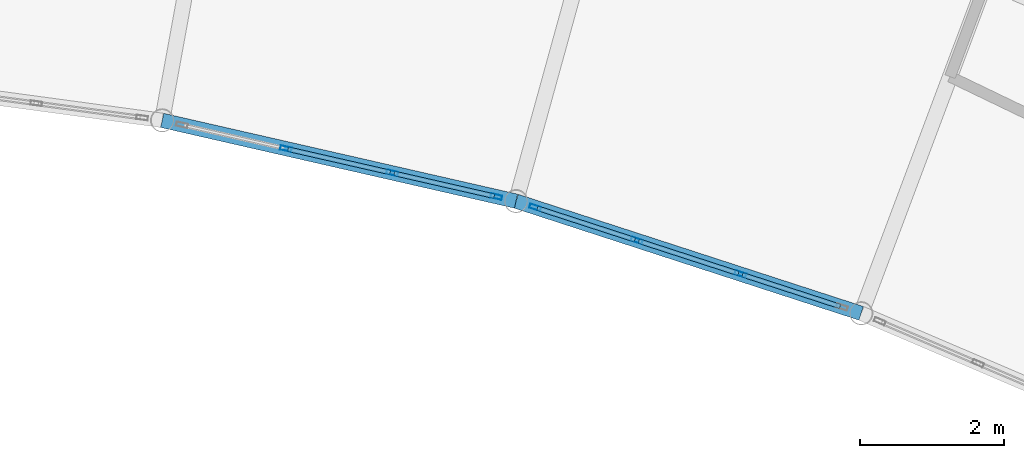
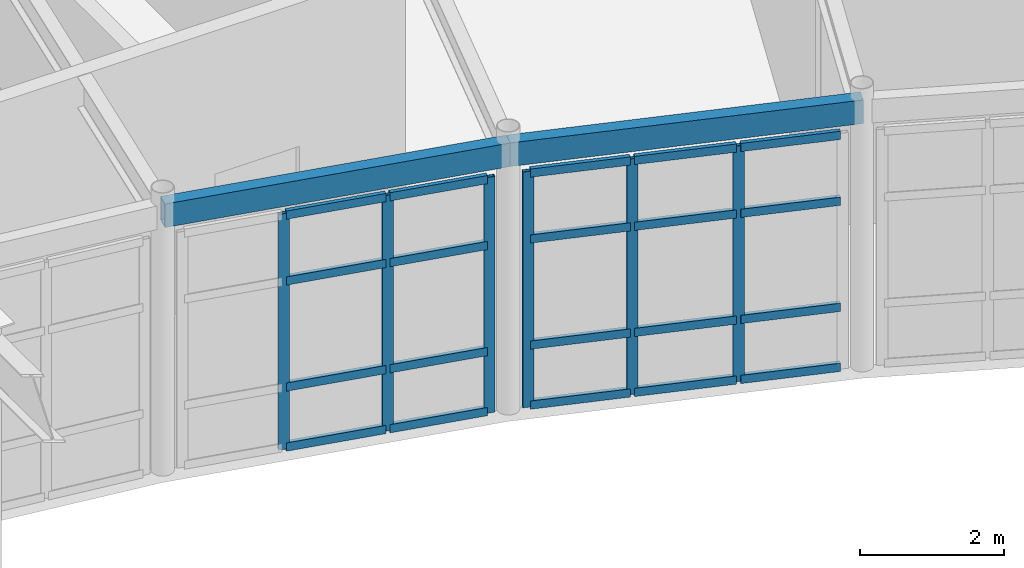
# One storey, part 75 of 116: 26 members, 2 beams, 2 elements without a shape of their own.
"""IFC4 building model written with IfcOpenShell, lengths in metres."""

import ifcopenshell
import ifcopenshell.guid

model = None  # the IFC model being written
_history = None  # IfcOwnerHistory: only IFC2X3 demands one
_inside = {}  # id of a spatial element -> (the spatial element, [elements in it])
_under = {}  # id of a project, library or spatial element -> (it, [spatial elements below it])
_declared = {}  # id of a project -> (the project, [libraries it declares])
_typed = {}  # id of a type object -> (the type object, [elements of that type])
_made_of = {}  # id of a material, layer set ... -> (it, [elements and type objects made of it])


def new_model(schema):
    """Start an empty IFC model of exactly this schema.

    Asked for "IFC4X3", IfcOpenShell would pick the latest addendum, in which some entities
    have other attributes; the version numbers below select the first issue.
    IFC2X3 requires an IfcOwnerHistory on every rooted entity: one is made here for all.
    """
    global model, _history
    if schema == "IFC4X3":
        model = ifcopenshell.file(schema_version=(4, 3, 0, 0))
    else:
        model = ifcopenshell.file(schema=schema)
    _inside.clear()
    _under.clear()
    _declared.clear()
    _typed.clear()
    _made_of.clear()
    _history = None
    if model.schema == "IFC2X3":
        org = make("IfcOrganization", Name="unknown")
        user = make(
            "IfcPersonAndOrganization",
            ThePerson=make("IfcPerson", FamilyName="unknown"),
            TheOrganization=org,
        )
        app = make(
            "IfcApplication",
            ApplicationDeveloper=org,
            Version="unknown",
            ApplicationFullName="unknown",
            ApplicationIdentifier="unknown",
        )
        _history = make(
            "IfcOwnerHistory",
            OwningUser=user,
            OwningApplication=app,
            ChangeAction="ADDED",
            CreationDate=0,
        )
    return model


def make(cls, **values):
    """One entity of the class cls with the attributes given. An attribute that is None is left unset."""
    return model.create_entity(
        cls, **{name: value for name, value in values.items() if value is not None}
    )


def rooted(cls, **values):
    """An entity with a GlobalId (a new one), such as an element, a storey or a relation."""
    return make(cls, GlobalId=ifcopenshell.guid.new(), OwnerHistory=_history, **values)


def si_unit(unit_type, name, prefix=None):
    """IfcSIUnit, for example si_unit("LENGTHUNIT", "METRE", prefix="MILLI")."""
    return make("IfcSIUnit", UnitType=unit_type, Prefix=prefix, Name=name)


def assignment(units):
    """IfcUnitAssignment: the units of a project."""
    return None if units is None else make("IfcUnitAssignment", Units=units)


def point(xyz):
    """IfcCartesianPoint."""
    return None if xyz is None else make("IfcCartesianPoint", Coordinates=xyz)


def direction(xyz):
    """IfcDirection."""
    return None if xyz is None else make("IfcDirection", DirectionRatios=xyz)


def frame(location, z_axis=None, x_axis=None):
    """IfcAxis2Placement3D, a coordinate frame: its origin and axes. An axis left out is left unset."""
    return make(
        "IfcAxis2Placement3D",
        Location=point(location),
        Axis=direction(z_axis),
        RefDirection=direction(x_axis),
    )


def frame_2d(location, x_axis=None):
    """IfcAxis2Placement2D, a coordinate frame in the plane: its origin and x axis."""
    return make(
        "IfcAxis2Placement2D", Location=point(location), RefDirection=direction(x_axis)
    )


def origin():
    """The frame at (0, 0, 0) with its axes left unset."""
    return frame((0.0, 0.0, 0.0))


def origin_2d():
    """The frame at (0, 0) in the plane with its x axis left unset."""
    return frame_2d((0.0, 0.0))


def place(relative_to, where):
    """IfcLocalPlacement: puts the frame where relative to a parent placement (None: the world)."""
    return make(
        "IfcLocalPlacement", PlacementRelTo=relative_to, RelativePlacement=where
    )


def context(
    kind, dimensions, precision=None, world=None, true_north=None, identifier=None
):
    """IfcGeometricRepresentationContext, for example the 3D "Model" context."""
    return make(
        "IfcGeometricRepresentationContext",
        ContextIdentifier=identifier,
        ContextType=kind,
        CoordinateSpaceDimension=dimensions,
        Precision=precision,
        WorldCoordinateSystem=world,
        TrueNorth=true_north,
    )


def subcontext(parent, identifier, kind, view, scale=None):
    """IfcGeometricRepresentationSubContext, for example "Body" below "Model"."""
    return make(
        "IfcGeometricRepresentationSubContext",
        ContextIdentifier=identifier,
        ContextType=kind,
        ParentContext=parent,
        TargetScale=scale,
        TargetView=view,
    )


def project(units=None, contexts=None):
    """IfcProject with its units and contexts."""
    return rooted(
        "IfcProject",
        Name="project",
        RepresentationContexts=contexts,
        UnitsInContext=assignment(units),
    )


def spatial(cls, under=None, at=None, **own):
    """A site, building, storey or space (cls), placed at a placement, below another one or the project."""
    s = rooted(cls, ObjectPlacement=at, **own)
    if under is not None:
        _under.setdefault(under.id(), (under, []))[1].append(s)
    return s


def profile(cls, at=None, kind="AREA", **sizes):
    """A parametric profile (cls). Its sizes go by their IFC names, for example OverallWidth=200.0."""
    return make(cls, ProfileType=kind, Position=at, **sizes)


def hollow_rectangle(**sizes):
    """IfcRectangleHollowProfileDef."""
    return profile("IfcRectangleHollowProfileDef", **sizes)


def extrude(swept, where, along, depth):
    """IfcExtrudedAreaSolid: the profile swept, set in the frame where, extruded along a direction by depth."""
    return make(
        "IfcExtrudedAreaSolid",
        SweptArea=swept,
        Position=where,
        ExtrudedDirection=direction(along),
        Depth=depth,
    )


def shape(context_of_items, identifier, shape_type, items):
    """IfcShapeRepresentation: the items that make up one representation, for example the "Body"."""
    return make(
        "IfcShapeRepresentation",
        ContextOfItems=context_of_items,
        RepresentationIdentifier=identifier,
        RepresentationType=shape_type,
        Items=items,
    )


def material(Name=None, Category=None):
    """IfcMaterial."""
    return make("IfcMaterial", Name=Name, Category=Category)


def layer(
    of_material, thickness, ventilated=None, Name=None, Category=None, Priority=None
):
    """IfcMaterialLayer: one layer of a wall or slab, of a material (None: an air gap)."""
    return make(
        "IfcMaterialLayer",
        Material=of_material,
        LayerThickness=thickness,
        IsVentilated=ventilated,
        Name=Name,
        Category=Category,
        Priority=Priority,
    )


def layer_set(layers, Name=None):
    """IfcMaterialLayerSet."""
    return make("IfcMaterialLayerSet", MaterialLayers=layers, LayerSetName=Name)


def material_profile(
    of_material, cross_section, Name=None, Category=None, Priority=None
):
    """IfcMaterialProfile: a cross section and its material."""
    return make(
        "IfcMaterialProfile",
        Name=Name,
        Material=of_material,
        Profile=cross_section,
        Priority=Priority,
        Category=Category,
    )


def profile_set(profiles, Name=None, composite=None):
    """IfcMaterialProfileSet."""
    return make(
        "IfcMaterialProfileSet",
        Name=Name,
        MaterialProfiles=profiles,
        CompositeProfile=composite,
    )


def made_of(thing, what):
    """Note that an element or type object is made of a material, layer set ...; save() writes the relation."""
    if what is not None:
        _made_of.setdefault(what.id(), (what, []))[1].append(thing)
    return thing


def type_object(cls, material=None, **own):
    """A type object (cls), such as IfcWallType, which elements share."""
    return made_of(rooted(cls, **own), material)


def element(
    cls,
    number,
    at=None,
    inside=None,
    cuts=None,
    type_object=None,
    material=None,
    context=None,
    identifier="Body",
    shape_type=None,
    held_by="IfcProductDefinitionShape",
    body=None,
    shapes=None,
    **own,
):
    """One element of the class cls, such as IfcWall. Its Tag is "e" and its number.

    at: its placement. inside: the storey or other place that contains it. cuts: it is an
    opening in that element (IfcRelVoidsElement). A single representation is given by context,
    identifier, shape_type and body (its items); several are given by shapes. held_by: the class
    of the entity that holds the representations. save() writes the other relations.
    """
    e = rooted(cls, Tag="e%d" % number, ObjectPlacement=at, **own)
    if body is not None:
        shapes = [shape(context, identifier, shape_type, body)]
    if shapes is not None:
        e.Representation = make(held_by, Representations=shapes)
    if inside is not None:
        _inside.setdefault(inside.id(), (inside, []))[1].append(e)
    if cuts is not None:
        rooted(
            "IfcRelVoidsElement", RelatingBuildingElement=cuts, RelatedOpeningElement=e
        )
    if type_object is not None:
        _typed.setdefault(type_object.id(), (type_object, []))[1].append(e)
    return made_of(e, material)


def aggregate(whole, parts):
    """IfcRelAggregates: a whole, such as a stair, and the parts it consists of."""
    return rooted("IfcRelAggregates", RelatingObject=whole, RelatedObjects=parts)


def save(model, path):
    """Write the relations noted so far, then the file.

    IfcRelAggregates (storeys below a building ...), IfcRelContainedInSpatialStructure (elements
    in a storey), IfcRelDefinesByType, IfcRelAssociatesMaterial and IfcRelDeclares: one each for
    every whole, place, type object, material and project.
    """
    for whole, parts in _under.values():
        aggregate(whole, parts)
    for where, things in _inside.values():
        rooted(
            "IfcRelContainedInSpatialStructure",
            RelatedElements=things,
            RelatingStructure=where,
        )
    for kind, things in _typed.values():
        rooted("IfcRelDefinesByType", RelatedObjects=things, RelatingType=kind)
    for what, things in _made_of.values():
        rooted("IfcRelAssociatesMaterial", RelatedObjects=things, RelatingMaterial=what)
    for by, libraries in _declared.values():
        rooted("IfcRelDeclares", RelatingContext=by, RelatedDefinitions=libraries)
    model.write(path)


model = new_model("IFC4")

# Units and contexts
model_context = context("Model", 3, precision=1e-05, world=origin(), true_north=direction((0.0, 1.0)))
body_context = subcontext(model_context, "Body", "Model", "MODEL_VIEW")
ifc_project = project(units=[si_unit("LENGTHUNIT", "METRE"), si_unit("AREAUNIT", "SQUARE_METRE"), si_unit("VOLUMEUNIT", "CUBIC_METRE"), si_unit("PLANEANGLEUNIT", "RADIAN"), si_unit("MASSUNIT", "GRAM", prefix="KILO")], contexts=[model_context])

# Site, building, storey
site_placement = place(None, origin())
site = spatial("IfcSite", under=ifc_project, at=site_placement, CompositionType="ELEMENT")
building_placement = place(site_placement, origin())
building = spatial("IfcBuilding", under=site, at=building_placement, Name="Selat Folded Stagehouse", CompositionType="ELEMENT")
storey_placement = place(building_placement, frame((0.0, 0.0, 5.39990234375)))
storey = spatial("IfcBuildingStorey", under=building, at=storey_placement, Name="L01", CompositionType="ELEMENT", Elevation=5.39990234375)

# Curtain wall, members
ifc_material_1 = material(Name="Aluminium 6063-T6", Category="aluminium")
ifc_layer = layer(ifc_material_1, 0.18994140625)
ifc_layer_set = layer_set([ifc_layer], Name="Aluminium 6063-T6")
curtain_wall_type = type_object("IfcCurtainWallType", Name="CW-REH-ARC", PredefinedType="NOTDEFINED", material=ifc_layer_set)
curtain_wall_1_placement = place(storey_placement, origin())
curtain_wall_1 = element("IfcCurtainWall", 1, at=curtain_wall_1_placement, inside=storey, type_object=curtain_wall_type, Name="L01 curtain wall CW-REH-L01-09", PredefinedType="NOTDEFINED")
ifc_material_profile_1 = material_profile(ifc_material_1, hollow_rectangle(XDim=0.06005859375, YDim=0.159912109375, WallThickness=0.00390625, at=origin_2d()), Name="ALU 160x60x4.0")
ifc_profile_set_1 = profile_set([ifc_material_profile_1], Name="Aluminium 6063-T6")
member_type_1 = type_object("IfcMemberType", Name="CWM-MUL-160x60", PredefinedType="MULLION", material=ifc_profile_set_1)
member_1_placement = place(storey_placement, frame((107.025146484375, 92.044189453125, 0.0), z_axis=(0.0, 0.0, 1.0), x_axis=(-0.222542761079, -0.974922930026, 0.0)))
member_1 = element("IfcMember", 2, at=member_1_placement, type_object=member_type_1, Name="CW-06 mullion 1", PredefinedType="MULLION", context=body_context, shape_type="SweptSolid", body=[
    extrude(hollow_rectangle(XDim=0.06005859375, YDim=0.159912109375, WallThickness=0.00390625, at=origin_2d()), origin(), (0.0, 0.0, 1.0), 4.0),
])
member_2_placement = place(storey_placement, frame((105.583984375, 92.373046875, 0.0), z_axis=(0.0, 0.0, 1.0), x_axis=(-0.222542761079, -0.974922930026, 0.0)))
member_2 = element("IfcMember", 3, at=member_2_placement, type_object=member_type_1, Name="CW-06 mullion 2", PredefinedType="MULLION", context=body_context, shape_type="SweptSolid", body=[
    extrude(hollow_rectangle(XDim=0.06005859375, YDim=0.159912109375, WallThickness=0.00390625, at=origin_2d()), origin(), (0.0, 0.0, 1.0), 4.0),
])
member_3_placement = place(storey_placement, frame((104.11328125, 92.708740234375, 0.0), z_axis=(0.0, 0.0, 1.0), x_axis=(-0.222542761079, -0.974922930026, 0.0)))
member_3 = element("IfcMember", 4, at=member_3_placement, type_object=member_type_1, Name="CW-06 mullion 3", PredefinedType="MULLION", context=body_context, shape_type="SweptSolid", body=[
    extrude(hollow_rectangle(XDim=0.06005859375, YDim=0.159912109375, WallThickness=0.00390625, at=origin_2d()), origin(), (0.0, 0.0, 1.0), 4.0),
])

curtain_wall_2_placement = place(storey_placement, origin())
curtain_wall_2 = element("IfcCurtainWall", 5, at=curtain_wall_2_placement, inside=storey, type_object=curtain_wall_type, Name="L01 curtain wall CW-REH-L01-10", PredefinedType="NOTDEFINED")
member_4_placement = place(storey_placement, frame((110.40478515625, 90.972412109375, 0.0), z_axis=(0.0, 0.0, 1.0), x_axis=(-0.308991620714, -0.951064760323, 0.0)))
member_4 = element("IfcMember", 6, at=member_4_placement, type_object=member_type_1, Name="CW-06 mullion 2", PredefinedType="MULLION", context=body_context, shape_type="SweptSolid", body=[
    extrude(hollow_rectangle(XDim=0.06005859375, YDim=0.159912109375, WallThickness=0.00390625, at=origin_2d()), origin(), (0.0, 0.0, 1.0), 4.0),
])
member_5_placement = place(storey_placement, frame((108.97021484375, 91.4384765625, 0.0), z_axis=(0.0, 0.0, 1.0), x_axis=(-0.308991620714, -0.951064760323, 0.0)))
member_5 = element("IfcMember", 7, at=member_5_placement, type_object=member_type_1, Name="CW-06 mullion 3", PredefinedType="MULLION", context=body_context, shape_type="SweptSolid", body=[
    extrude(hollow_rectangle(XDim=0.06005859375, YDim=0.159912109375, WallThickness=0.00390625, at=origin_2d()), origin(), (0.0, 0.0, 1.0), 4.0),
])
member_6_placement = place(storey_placement, frame((107.564453125, 91.895263671875, 0.0), z_axis=(0.0, 0.0, 1.0), x_axis=(-0.308991620714, -0.951064760323, 0.0)))
member_6 = element("IfcMember", 8, at=member_6_placement, type_object=member_type_1, Name="CW-06 mullion 4", PredefinedType="MULLION", context=body_context, shape_type="SweptSolid", body=[
    extrude(hollow_rectangle(XDim=0.06005859375, YDim=0.159912109375, WallThickness=0.00390625, at=origin_2d()), origin(), (0.0, 0.0, 1.0), 4.0),
])

# Member
ifc_material_profile_2 = material_profile(ifc_material_1, hollow_rectangle(XDim=0.06494140625, YDim=0.139892578125, WallThickness=0.00390625, at=origin_2d()), Name="ALU 140x65x4.0")
ifc_profile_set_2 = profile_set([ifc_material_profile_2], Name="Aluminium 6063-T6")
member_type_2 = type_object("IfcMemberType", Name="CWM-TRN-140x65", PredefinedType="USERDEFINED", material=ifc_profile_set_2)
member_7_placement = place(storey_placement, frame((106.995849609375, 92.05078125, 0.03271484375), z_axis=(-0.974919361771, 0.222558392438, 0.0), x_axis=(-0.222558392438, -0.974919361771, 0.0)))
member_7 = element("IfcMember", 9, at=member_7_placement, type_object=member_type_2, Name="CW-06 transom 1.1", ObjectType="TRANSOM", PredefinedType="USERDEFINED", context=body_context, shape_type="SweptSolid", body=[
    extrude(hollow_rectangle(XDim=0.06494140625, YDim=0.139892578125, WallThickness=0.00390625, at=origin_2d()), origin(), (0.0, 0.0, 1.0), 1.41845703125),
])

member_8_placement = place(storey_placement, frame((106.995849609375, 92.05078125, 1.050048828125), z_axis=(-0.974919361771, 0.222558392438, 0.0), x_axis=(-0.222558392438, -0.974919361771, 0.0)))
member_8 = element("IfcMember", 10, at=member_8_placement, type_object=member_type_2, Name="CW-06 transom 1.2", ObjectType="TRANSOM", PredefinedType="USERDEFINED", context=body_context, shape_type="SweptSolid", body=[
    extrude(hollow_rectangle(XDim=0.06494140625, YDim=0.139892578125, WallThickness=0.00390625, at=origin_2d()), origin(), (0.0, 0.0, 1.0), 1.41845703125),
])

member_9_placement = place(storey_placement, frame((106.995849609375, 92.05078125, 2.85009765625), z_axis=(-0.974919361771, 0.222558392438, 0.0), x_axis=(-0.222558392438, -0.974919361771, 0.0)))
member_9 = element("IfcMember", 11, at=member_9_placement, type_object=member_type_2, Name="CW-06 transom 1.3", ObjectType="TRANSOM", PredefinedType="USERDEFINED", context=body_context, shape_type="SweptSolid", body=[
    extrude(hollow_rectangle(XDim=0.06494140625, YDim=0.139892578125, WallThickness=0.00390625, at=origin_2d()), origin(), (0.0, 0.0, 1.0), 1.41845703125),
])

member_10_placement = place(storey_placement, frame((106.995849609375, 92.05078125, 3.967529296875), z_axis=(-0.974919361771, 0.222558392438, 0.0), x_axis=(-0.222558392438, -0.974919361771, 0.0)))
member_10 = element("IfcMember", 12, at=member_10_placement, type_object=member_type_2, Name="CW-06 transom 1.4", ObjectType="TRANSOM", PredefinedType="USERDEFINED", context=body_context, shape_type="SweptSolid", body=[
    extrude(hollow_rectangle(XDim=0.06494140625, YDim=0.139892578125, WallThickness=0.00390625, at=origin_2d()), origin(), (0.0, 0.0, 1.0), 1.41845703125),
])

member_11_placement = place(storey_placement, frame((105.5546875, 92.3798828125, 0.03271484375), z_axis=(-0.974933771932, 0.222495259155, 0.0), x_axis=(-0.222495259155, -0.974933771932, 0.0)))
member_11 = element("IfcMember", 13, at=member_11_placement, type_object=member_type_2, Name="CW-06 transom 2.1", ObjectType="TRANSOM", PredefinedType="USERDEFINED", context=body_context, shape_type="SweptSolid", body=[
    extrude(hollow_rectangle(XDim=0.06494140625, YDim=0.139892578125, WallThickness=0.00390625, at=origin_2d()), origin(), (0.0, 0.0, 1.0), 1.448486328125),
])

member_12_placement = place(storey_placement, frame((105.5546875, 92.3798828125, 1.050048828125), z_axis=(-0.974933771932, 0.222495259155, 0.0), x_axis=(-0.222495259155, -0.974933771932, 0.0)))
member_12 = element("IfcMember", 14, at=member_12_placement, type_object=member_type_2, Name="CW-06 transom 2.2", ObjectType="TRANSOM", PredefinedType="USERDEFINED", context=body_context, shape_type="SweptSolid", body=[
    extrude(hollow_rectangle(XDim=0.06494140625, YDim=0.139892578125, WallThickness=0.00390625, at=origin_2d()), origin(), (0.0, 0.0, 1.0), 1.448486328125),
])

member_13_placement = place(storey_placement, frame((105.5546875, 92.3798828125, 2.85009765625), z_axis=(-0.974933771932, 0.222495259155, 0.0), x_axis=(-0.222495259155, -0.974933771932, 0.0)))
member_13 = element("IfcMember", 15, at=member_13_placement, type_object=member_type_2, Name="CW-06 transom 2.3", ObjectType="TRANSOM", PredefinedType="USERDEFINED", context=body_context, shape_type="SweptSolid", body=[
    extrude(hollow_rectangle(XDim=0.06494140625, YDim=0.139892578125, WallThickness=0.00390625, at=origin_2d()), origin(), (0.0, 0.0, 1.0), 1.448486328125),
])

member_14_placement = place(storey_placement, frame((105.5546875, 92.3798828125, 3.967529296875), z_axis=(-0.974933771932, 0.222495259155, 0.0), x_axis=(-0.222495259155, -0.974933771932, 0.0)))
member_14 = element("IfcMember", 16, at=member_14_placement, type_object=member_type_2, Name="CW-06 transom 2.4", ObjectType="TRANSOM", PredefinedType="USERDEFINED", context=body_context, shape_type="SweptSolid", body=[
    extrude(hollow_rectangle(XDim=0.06494140625, YDim=0.139892578125, WallThickness=0.00390625, at=origin_2d()), origin(), (0.0, 0.0, 1.0), 1.448486328125),
])

aggregate(curtain_wall_1, [member_1, member_2, member_3, member_7, member_8, member_9, member_10, member_11, member_12, member_13, member_14])

member_15_placement = place(storey_placement, frame((111.7822265625, 90.525146484375, 0.03271484375), z_axis=(-0.951065688988, 0.308988762305, 0.0), x_axis=(-0.308988762305, -0.951065688988, 0.0)))
member_15 = element("IfcMember", 17, at=member_15_placement, type_object=member_type_2, Name="CW-06 transom 1.1", ObjectType="TRANSOM", PredefinedType="USERDEFINED", context=body_context, shape_type="SweptSolid", body=[
    extrude(hollow_rectangle(XDim=0.06494140625, YDim=0.139892578125, WallThickness=0.00390625, at=origin_2d()), origin(), (0.0, 0.0, 1.0), 1.418212890625),
])

member_16_placement = place(storey_placement, frame((111.7822265625, 90.525146484375, 1.050048828125), z_axis=(-0.951065688988, 0.308988762305, 0.0), x_axis=(-0.308988762305, -0.951065688988, 0.0)))
member_16 = element("IfcMember", 18, at=member_16_placement, type_object=member_type_2, Name="CW-06 transom 1.2", ObjectType="TRANSOM", PredefinedType="USERDEFINED", context=body_context, shape_type="SweptSolid", body=[
    extrude(hollow_rectangle(XDim=0.06494140625, YDim=0.139892578125, WallThickness=0.00390625, at=origin_2d()), origin(), (0.0, 0.0, 1.0), 1.418212890625),
])

member_17_placement = place(storey_placement, frame((111.7822265625, 90.525146484375, 2.85009765625), z_axis=(-0.951065688988, 0.308988762305, 0.0), x_axis=(-0.308988762305, -0.951065688988, 0.0)))
member_17 = element("IfcMember", 19, at=member_17_placement, type_object=member_type_2, Name="CW-06 transom 1.3", ObjectType="TRANSOM", PredefinedType="USERDEFINED", context=body_context, shape_type="SweptSolid", body=[
    extrude(hollow_rectangle(XDim=0.06494140625, YDim=0.139892578125, WallThickness=0.00390625, at=origin_2d()), origin(), (0.0, 0.0, 1.0), 1.418212890625),
])

member_18_placement = place(storey_placement, frame((111.7822265625, 90.525146484375, 3.967529296875), z_axis=(-0.951065688988, 0.308988762305, 0.0), x_axis=(-0.308988762305, -0.951065688988, 0.0)))
member_18 = element("IfcMember", 20, at=member_18_placement, type_object=member_type_2, Name="CW-06 transom 1.4", ObjectType="TRANSOM", PredefinedType="USERDEFINED", context=body_context, shape_type="SweptSolid", body=[
    extrude(hollow_rectangle(XDim=0.06494140625, YDim=0.139892578125, WallThickness=0.00390625, at=origin_2d()), origin(), (0.0, 0.0, 1.0), 1.418212890625),
])

member_19_placement = place(storey_placement, frame((110.376220703125, 90.981689453125, 0.03271484375), z_axis=(-0.951066271776, 0.30898696848, 0.0), x_axis=(-0.30898696848, -0.951066271776, 0.0)))
member_19 = element("IfcMember", 21, at=member_19_placement, type_object=member_type_2, Name="CW-06 transom 2.1", ObjectType="TRANSOM", PredefinedType="USERDEFINED", context=body_context, shape_type="SweptSolid", body=[
    extrude(hollow_rectangle(XDim=0.06494140625, YDim=0.139892578125, WallThickness=0.00390625, at=origin_2d()), origin(), (0.0, 0.0, 1.0), 1.4482421875),
])

member_20_placement = place(storey_placement, frame((110.376220703125, 90.981689453125, 1.050048828125), z_axis=(-0.951066271776, 0.30898696848, 0.0), x_axis=(-0.30898696848, -0.951066271776, 0.0)))
member_20 = element("IfcMember", 22, at=member_20_placement, type_object=member_type_2, Name="CW-06 transom 2.2", ObjectType="TRANSOM", PredefinedType="USERDEFINED", context=body_context, shape_type="SweptSolid", body=[
    extrude(hollow_rectangle(XDim=0.06494140625, YDim=0.139892578125, WallThickness=0.00390625, at=origin_2d()), origin(), (0.0, 0.0, 1.0), 1.4482421875),
])

member_21_placement = place(storey_placement, frame((110.376220703125, 90.981689453125, 2.85009765625), z_axis=(-0.951066271776, 0.30898696848, 0.0), x_axis=(-0.30898696848, -0.951066271776, 0.0)))
member_21 = element("IfcMember", 23, at=member_21_placement, type_object=member_type_2, Name="CW-06 transom 2.3", ObjectType="TRANSOM", PredefinedType="USERDEFINED", context=body_context, shape_type="SweptSolid", body=[
    extrude(hollow_rectangle(XDim=0.06494140625, YDim=0.139892578125, WallThickness=0.00390625, at=origin_2d()), origin(), (0.0, 0.0, 1.0), 1.4482421875),
])

member_22_placement = place(storey_placement, frame((110.376220703125, 90.981689453125, 3.967529296875), z_axis=(-0.951066271776, 0.30898696848, 0.0), x_axis=(-0.30898696848, -0.951066271776, 0.0)))
member_22 = element("IfcMember", 24, at=member_22_placement, type_object=member_type_2, Name="CW-06 transom 2.4", ObjectType="TRANSOM", PredefinedType="USERDEFINED", context=body_context, shape_type="SweptSolid", body=[
    extrude(hollow_rectangle(XDim=0.06494140625, YDim=0.139892578125, WallThickness=0.00390625, at=origin_2d()), origin(), (0.0, 0.0, 1.0), 1.4482421875),
])

member_23_placement = place(storey_placement, frame((108.94189453125, 91.44775390625, 0.03271484375), z_axis=(-0.951065688988, 0.308988762305, 0.0), x_axis=(-0.308988762305, -0.951065688988, 0.0)))
member_23 = element("IfcMember", 25, at=member_23_placement, type_object=member_type_2, Name="CW-06 transom 3.1", ObjectType="TRANSOM", PredefinedType="USERDEFINED", context=body_context, shape_type="SweptSolid", body=[
    extrude(hollow_rectangle(XDim=0.06494140625, YDim=0.139892578125, WallThickness=0.00390625, at=origin_2d()), origin(), (0.0, 0.0, 1.0), 1.418212890625),
])

member_24_placement = place(storey_placement, frame((108.94189453125, 91.44775390625, 1.050048828125), z_axis=(-0.951065688988, 0.308988762305, 0.0), x_axis=(-0.308988762305, -0.951065688988, 0.0)))
member_24 = element("IfcMember", 26, at=member_24_placement, type_object=member_type_2, Name="CW-06 transom 3.2", ObjectType="TRANSOM", PredefinedType="USERDEFINED", context=body_context, shape_type="SweptSolid", body=[
    extrude(hollow_rectangle(XDim=0.06494140625, YDim=0.139892578125, WallThickness=0.00390625, at=origin_2d()), origin(), (0.0, 0.0, 1.0), 1.418212890625),
])

member_25_placement = place(storey_placement, frame((108.94189453125, 91.44775390625, 2.85009765625), z_axis=(-0.951065688988, 0.308988762305, 0.0), x_axis=(-0.308988762305, -0.951065688988, 0.0)))
member_25 = element("IfcMember", 27, at=member_25_placement, type_object=member_type_2, Name="CW-06 transom 3.3", ObjectType="TRANSOM", PredefinedType="USERDEFINED", context=body_context, shape_type="SweptSolid", body=[
    extrude(hollow_rectangle(XDim=0.06494140625, YDim=0.139892578125, WallThickness=0.00390625, at=origin_2d()), origin(), (0.0, 0.0, 1.0), 1.418212890625),
])

member_26_placement = place(storey_placement, frame((108.94189453125, 91.44775390625, 3.967529296875), z_axis=(-0.951065688988, 0.308988762305, 0.0), x_axis=(-0.308988762305, -0.951065688988, 0.0)))
member_26 = element("IfcMember", 28, at=member_26_placement, type_object=member_type_2, Name="CW-06 transom 3.4", ObjectType="TRANSOM", PredefinedType="USERDEFINED", context=body_context, shape_type="SweptSolid", body=[
    extrude(hollow_rectangle(XDim=0.06494140625, YDim=0.139892578125, WallThickness=0.00390625, at=origin_2d()), origin(), (0.0, 0.0, 1.0), 1.418212890625),
])

aggregate(curtain_wall_2, [member_4, member_5, member_6, member_15, member_16, member_17, member_18, member_19, member_20, member_21, member_22, member_23, member_24, member_25, member_26])

# Beams
ifc_material_2 = material(Name="Steel S355", Category="steel")
ifc_material_profile_3 = material_profile(ifc_material_2, hollow_rectangle(XDim=0.199951171875, YDim=0.39990234375, WallThickness=0.012451171875, at=origin_2d()), Name="RHS 400x200x12.5")
ifc_profile_set_3 = profile_set([ifc_material_profile_3], Name="Steel S355")
beam_type = type_object("IfcBeamType", Name="SPD-EXT-400x200", PredefinedType="SPANDREL", material=ifc_profile_set_3)
beam_1_placement = place(storey_placement, frame((102.399169921875, 93.10009765625, 4.3701171875), z_axis=(0.974927211846, -0.222524002305, 0.0), x_axis=(0.222524002305, 0.974927211846, 0.0)))
element("IfcBeam", 29, at=beam_1_placement, inside=storey, type_object=beam_type, Name="L01 inner curved rehearsal spandrel 10", PredefinedType="SPANDREL", context=body_context, shape_type="SweptSolid", body=[
    extrude(hollow_rectangle(XDim=0.199951171875, YDim=0.39990234375, WallThickness=0.012451171875, at=origin_2d()), origin(), (0.0, 0.0, 1.0), 5.02490234375),
])
beam_2_placement = place(storey_placement, frame((107.298095703125, 91.98193359375, 4.3701171875), z_axis=(0.951056204058, -0.309017955339, 0.0), x_axis=(0.309017955339, 0.951056204058, 0.0)))
element("IfcBeam", 30, at=beam_2_placement, inside=storey, type_object=beam_type, Name="L01 inner curved rehearsal spandrel 11", PredefinedType="SPANDREL", context=body_context, shape_type="SweptSolid", body=[
    extrude(hollow_rectangle(XDim=0.199951171875, YDim=0.39990234375, WallThickness=0.012451171875, at=origin_2d()), origin(), (0.0, 0.0, 1.0), 5.024658203125),
])

save(model, "model.ifc")
